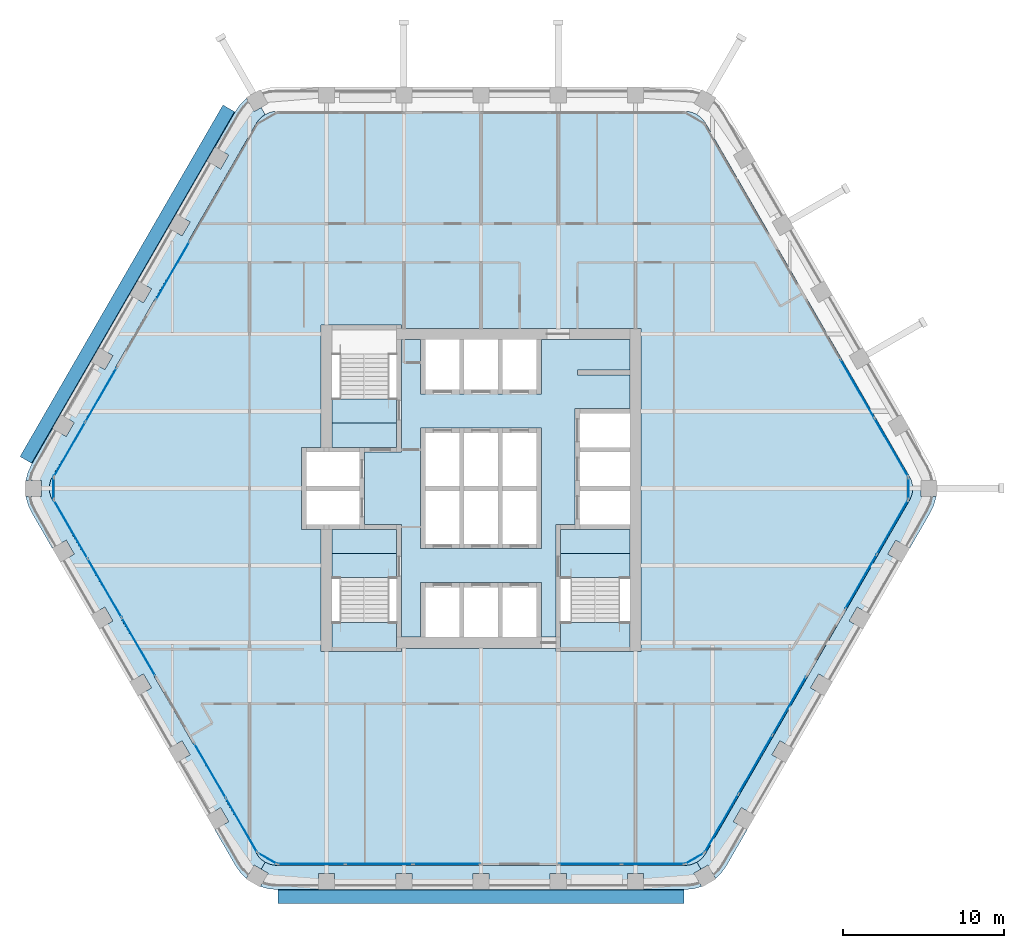
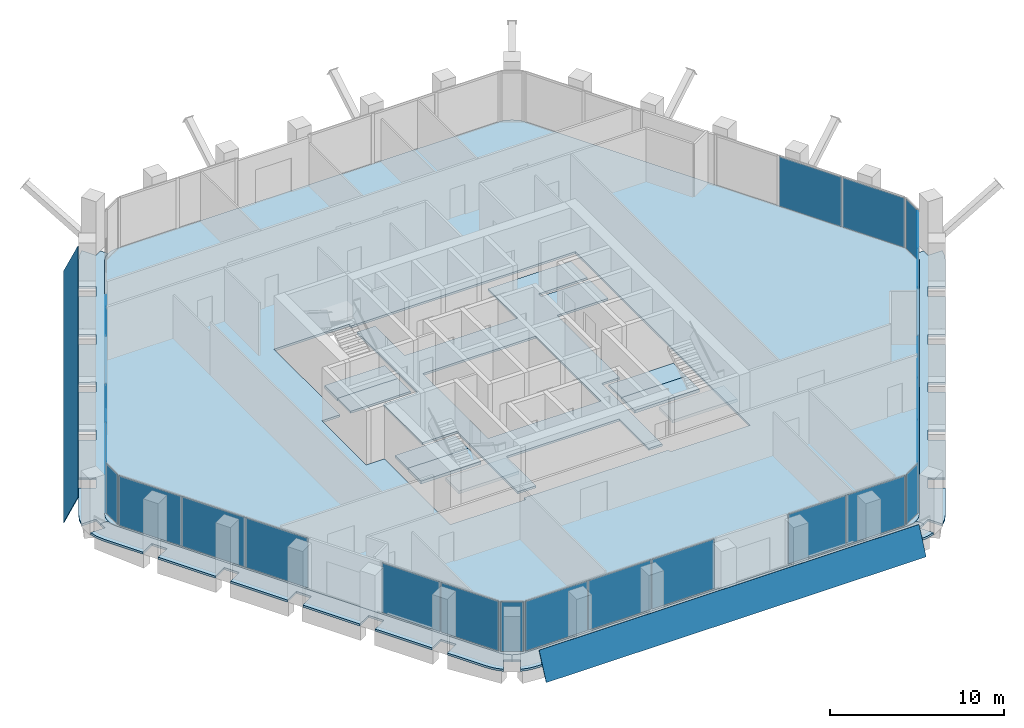
# One storey, part 8 of 16: 26 plates, 14 slabs, 16 elements without a shape of their own.
"""IFC4 building model written with IfcOpenShell, lengths in metres."""

from ifc_helpers import new_model, si_unit, direction, frame, origin, origin_2d, place, context, subcontext, project, spatial, polyline, rectangle, outline, extrude, material, layer, layer_set, type_object, element, aggregate, save


model = new_model("IFC4")

# Units and contexts
model_context = context("Model", 3, precision=1e-05, world=origin(), true_north=direction((0.0, 1.0)))
body_context = subcontext(model_context, "Body", "Model", "MODEL_VIEW")
ifc_project = project(units=[si_unit("LENGTHUNIT", "METRE"), si_unit("AREAUNIT", "SQUARE_METRE"), si_unit("VOLUMEUNIT", "CUBIC_METRE"), si_unit("PLANEANGLEUNIT", "RADIAN"), si_unit("MASSUNIT", "GRAM", prefix="KILO")], contexts=[model_context])

# Site, building, storey
site_placement = place(None, origin())
site = spatial("IfcSite", under=ifc_project, at=site_placement, CompositionType="ELEMENT")
building_placement = place(site_placement, origin())
building = spatial("IfcBuilding", under=site, at=building_placement, Name="Kolab Exchange Tower", CompositionType="ELEMENT")
storey_placement = place(building_placement, frame((0.0, 0.0, 162.199951171875)))
storey = spatial("IfcBuildingStorey", under=building, at=storey_placement, Name="L33", CompositionType="ELEMENT", Elevation=162.199951171875)

# Slabs
ifc_material_1 = material(Name="Concrete C35/45", Category="concrete")
ifc_layer_1 = layer(ifc_material_1, 0.14990234375)
ifc_layer_set_1 = layer_set([ifc_layer_1], Name="Concrete C35/45")
slab_type_1 = type_object("IfcSlabType", Name="FLOOR SLAB 150", PredefinedType="FLOOR", material=ifc_layer_set_1)
slab_1_placement = place(storey_placement, frame((0.0, 0.0, -0.14990234375)))
element("IfcSlab", 1, at=slab_1_placement, inside=storey, type_object=slab_type_1, Name="slab/L33/floor/0", PredefinedType="FLOOR", context=body_context, shape_type="SweptSolid", body=[
    extrude(outline(polyline([(13.967041015625, -22.691650390625), (26.635009765625, -0.75), (26.745361328125, -0.512939453125), (26.81298828125, -0.260498046875), (26.8359375, 0.0), (26.81298828125, 0.260498046875), (26.745361328125, 0.512939453125), (26.635009765625, 0.75), (13.967041015625, 22.691650390625), (13.81689453125, 22.90576171875), (13.632080078125, 23.090576171875), (13.41796875, 23.240478515625), (13.180908203125, 23.35107421875), (12.928466796875, 23.418701171875), (12.66796875, 23.441650390625), (-12.66796875, 23.441650390625), (-12.928466796875, 23.418701171875), (-13.180908203125, 23.35107421875), (-13.41796875, 23.240478515625), (-13.632080078125, 23.090576171875), (-13.81689453125, 22.90576171875), (-13.967041015625, 22.691650390625), (-26.635009765625, 0.75), (-26.745361328125, 0.512939453125), (-26.81298828125, 0.260498046875), (-26.8359375, 0.0), (-26.81298828125, -0.260498046875), (-26.745361328125, -0.512939453125), (-26.635009765625, -0.75), (-13.967041015625, -22.691650390625), (-13.81689453125, -22.90576171875), (-13.632080078125, -23.090576171875), (-13.41796875, -23.240478515625), (-13.180908203125, -23.35107421875), (-12.928466796875, -23.418701171875), (-12.66796875, -23.441650390625), (12.66796875, -23.441650390625), (12.928466796875, -23.418701171875), (13.180908203125, -23.35107421875), (13.41796875, -23.240478515625), (13.632080078125, -23.090576171875), (13.81689453125, -22.90576171875), (13.967041015625, -22.691650390625)]), holes=[polyline([(-9.25, -10.14990234375), (-9.949951171875, -10.14990234375), (-9.949951171875, -2.550048828125), (-10.85009765625, -2.550048828125), (-11.14990234375, -2.550048828125), (-11.14990234375, 2.550048828125), (-10.85009765625, 2.550048828125), (-9.949951171875, 2.550048828125), (-9.949951171875, 10.14990234375), (-9.25, 10.14990234375), (-5.25, 10.14990234375), (-4.949951171875, 10.14990234375), (-4.949951171875, 9.949951171875), (9.25, 9.949951171875), (9.949951171875, 9.949951171875), (9.949951171875, -10.14990234375), (9.25, -10.14990234375), (4.949951171875, -10.14990234375), (4.64990234375, -10.14990234375), (4.64990234375, -9.949951171875), (-4.949951171875, -9.949951171875), (-4.949951171875, -10.14990234375), (-5.25, -10.14990234375), (-9.25, -10.14990234375)])]), origin(), (0.0, 0.0, 1.0), 0.14990234375),
])
slab_2_placement = place(storey_placement, frame((0.0, 0.0, -0.14990234375)))
element("IfcSlab", 2, at=slab_2_placement, inside=storey, type_object=slab_type_1, Name="slab/L33/floor/1", PredefinedType="FLOOR", context=body_context, shape_type="SweptSolid", body=[
    extrude(outline(polyline([(-4.949951171875, 9.25), (-4.949951171875, 2.25), (-5.25, 2.25), (-7.25, 2.25), (-7.25, -2.25), (-5.25, -2.25), (-4.949951171875, -2.25), (-4.949951171875, -9.25), (-3.75, -9.25), (-3.75, -5.85009765625), (-3.449951171875, -5.85009765625), (-1.35009765625, -5.85009765625), (-1.050048828125, -5.85009765625), (1.050048828125, -5.85009765625), (1.35009765625, -5.85009765625), (3.449951171875, -5.85009765625), (3.75, -5.85009765625), (3.75, -9.25), (4.64990234375, -9.25), (4.64990234375, -2.25), (4.949951171875, -2.25), (5.85009765625, -2.25), (5.85009765625, 4.949951171875), (6.14990234375, 4.949951171875), (9.25, 4.949951171875), (9.25, 7.050048828125), (6.0, 7.050048828125), (6.0, 7.35009765625), (9.25, 7.35009765625), (9.25, 9.25), (3.75, 9.25), (3.75, 5.85009765625), (3.449951171875, 5.85009765625), (1.35009765625, 5.85009765625), (1.050048828125, 5.85009765625), (-1.050048828125, 5.85009765625), (-1.35009765625, 5.85009765625), (-3.449951171875, 5.85009765625), (-3.75, 5.85009765625), (-3.75, 9.25), (-4.949951171875, 9.25)]), holes=[polyline([(-3.449951171875, -3.75), (-3.75, -3.75), (-3.75, 3.75), (-3.449951171875, 3.75), (-1.35009765625, 3.75), (-1.050048828125, 3.75), (1.050048828125, 3.75), (1.35009765625, 3.75), (3.449951171875, 3.75), (3.75, 3.75), (3.75, -3.75), (3.449951171875, -3.75), (1.35009765625, -3.75), (1.050048828125, -3.75), (-1.050048828125, -3.75), (-1.35009765625, -3.75), (-3.449951171875, -3.75)])]), origin(), (0.0, 0.0, 1.0), 0.14990234375),
])
slab_3_placement = place(storey_placement, frame((0.0, 0.0, -0.14990234375)))
element("IfcSlab", 3, at=slab_3_placement, inside=storey, type_object=slab_type_1, Name="slab/L33/floor/2", PredefinedType="FLOOR", context=body_context, shape_type="SweptSolid", body=[
    extrude(outline(polyline([(4.949951171875, -4.050048828125), (9.25, -4.050048828125), (9.25, -2.550048828125), (6.14990234375, -2.550048828125), (5.85009765625, -2.550048828125), (4.949951171875, -2.550048828125), (4.949951171875, -4.050048828125)])), origin(), (0.0, 0.0, 1.0), 0.14990234375),
])
slab_4_placement = place(storey_placement, frame((0.0, 0.0, -0.14990234375)))
element("IfcSlab", 4, at=slab_4_placement, inside=storey, type_object=slab_type_1, Name="slab/L33/floor/3", PredefinedType="FLOOR", context=body_context, shape_type="SweptSolid", body=[
    extrude(outline(polyline([(-7.550048828125, -2.550048828125), (-9.25, -2.550048828125), (-9.25, -4.050048828125), (-5.25, -4.050048828125), (-5.25, -2.550048828125), (-7.25, -2.550048828125), (-7.550048828125, -2.550048828125)])), origin(), (0.0, 0.0, 1.0), 0.14990234375),
])
slab_5_placement = place(storey_placement, frame((0.0, 0.0, -0.14990234375)))
element("IfcSlab", 5, at=slab_5_placement, inside=storey, type_object=slab_type_1, Name="slab/L33/floor/4", PredefinedType="FLOOR", context=body_context, shape_type="SweptSolid", body=[
    extrude(outline(polyline([(-9.25, 2.550048828125), (-7.550048828125, 2.550048828125), (-7.25, 2.550048828125), (-5.25, 2.550048828125), (-5.25, 4.050048828125), (-9.25, 4.050048828125), (-9.25, 2.550048828125)])), origin(), (0.0, 0.0, 1.0), 0.14990234375),
])
ifc_layer_2 = layer(ifc_material_1, 0.14990234375)
ifc_layer_set_2 = layer_set([ifc_layer_2], Name="Concrete C35/45")
slab_type_2 = type_object("IfcSlabType", Name="LOGGIA SLAB 150", PredefinedType="FLOOR", material=ifc_layer_set_2)
slab_6_placement = place(storey_placement, frame((0.0, 0.0, -0.14990234375)))
element("IfcSlab", 6, at=slab_6_placement, inside=storey, type_object=slab_type_2, Name="slab/L33/loggia/2-0", PredefinedType="FLOOR", context=body_context, shape_type="SweptSolid", body=[
    extrude(outline(polyline([(15.26611328125, -23.441650390625), (16.550048828125, -21.217529296875), (15.68408203125, -20.717529296875), (16.18408203125, -19.8515625), (17.050048828125, -20.3515625), (18.949951171875, -17.060791015625), (18.083984375, -16.560791015625), (18.583984375, -15.694580078125), (19.449951171875, -16.194580078125), (21.35009765625, -12.90380859375), (20.48388671875, -12.40380859375), (20.98388671875, -11.537841796875), (21.85009765625, -12.037841796875), (23.75, -8.746826171875), (22.884033203125, -8.246826171875), (23.384033203125, -7.380859375), (24.25, -7.880859375), (26.14990234375, -4.58984375), (25.283935546875, -4.08984375), (25.783935546875, -3.223876953125), (26.64990234375, -3.723876953125), (27.93408203125, -1.5), (28.155029296875, -1.026123046875), (28.290283203125, -0.52099609375), (28.292236328125, -0.5), (27.3359375, -0.5), (27.3359375, 0.0), (26.8359375, 0.0), (26.81298828125, -0.260498046875), (26.745361328125, -0.512939453125), (26.635009765625, -0.75), (13.967041015625, -22.691650390625), (13.81689453125, -22.90576171875), (13.632080078125, -23.090576171875), (13.41796875, -23.240478515625), (13.66796875, -23.673583984375), (14.10107421875, -23.423583984375), (14.5791015625, -24.251708984375), (14.59619140625, -24.23974609375), (14.966064453125, -23.869873046875), (15.26611328125, -23.441650390625)])), origin(), (0.0, 0.0, 1.0), 0.14990234375),
])
slab_7_placement = place(storey_placement, frame((0.0, 0.0, -0.14990234375)))
element("IfcSlab", 7, at=slab_7_placement, inside=storey, type_object=slab_type_2, Name="slab/L33/loggia/3-0", PredefinedType="FLOOR", context=body_context, shape_type="SweptSolid", body=[
    extrude(outline(polyline([(-13.41796875, -23.240478515625), (-13.66796875, -23.673583984375), (-13.23486328125, -23.923583984375), (-13.713134765625, -24.751708984375), (-13.694091796875, -24.760498046875), (-13.18896484375, -24.89599609375), (-12.66796875, -24.941650390625), (-10.10009765625, -24.941650390625), (-10.10009765625, -23.941650390625), (-9.10009765625, -23.941650390625), (-9.10009765625, -24.941650390625), (-5.300048828125, -24.941650390625), (-5.300048828125, -23.941650390625), (-4.300048828125, -23.941650390625), (-4.300048828125, -24.941650390625), (-0.5, -24.941650390625), (-0.5, -23.941650390625), (0.5, -23.941650390625), (0.5, -24.941650390625), (4.300048828125, -24.941650390625), (4.300048828125, -23.941650390625), (5.300048828125, -23.941650390625), (5.300048828125, -24.941650390625), (9.10009765625, -24.941650390625), (9.10009765625, -23.941650390625), (10.10009765625, -23.941650390625), (10.10009765625, -24.941650390625), (12.66796875, -24.941650390625), (13.18896484375, -24.89599609375), (13.694091796875, -24.760498046875), (13.713134765625, -24.751708984375), (13.23486328125, -23.923583984375), (13.66796875, -23.673583984375), (13.41796875, -23.240478515625), (13.180908203125, -23.35107421875), (12.928466796875, -23.418701171875), (12.66796875, -23.441650390625), (-12.66796875, -23.441650390625), (-12.928466796875, -23.418701171875), (-13.180908203125, -23.35107421875), (-13.41796875, -23.240478515625)])), origin(), (0.0, 0.0, 1.0), 0.14990234375),
])
slab_8_placement = place(storey_placement, frame((0.0, 0.0, -0.14990234375)))
element("IfcSlab", 8, at=slab_8_placement, inside=storey, type_object=slab_type_2, Name="slab/L33/loggia/4-0", PredefinedType="FLOOR", context=body_context, shape_type="SweptSolid", body=[
    extrude(outline(polyline([(-26.8359375, 0.0), (-27.3359375, 0.0), (-27.3359375, -0.5), (-28.292236328125, -0.5), (-28.290283203125, -0.52099609375), (-28.155029296875, -1.026123046875), (-27.93408203125, -1.5), (-26.64990234375, -3.723876953125), (-25.783935546875, -3.223876953125), (-25.283935546875, -4.08984375), (-26.14990234375, -4.58984375), (-24.25, -7.880859375), (-23.384033203125, -7.380859375), (-22.884033203125, -8.246826171875), (-23.75, -8.746826171875), (-21.85009765625, -12.037841796875), (-20.98388671875, -11.537841796875), (-20.48388671875, -12.40380859375), (-21.35009765625, -12.90380859375), (-19.449951171875, -16.194580078125), (-18.583984375, -15.694580078125), (-18.083984375, -16.560791015625), (-18.949951171875, -17.060791015625), (-17.050048828125, -20.3515625), (-16.18408203125, -19.8515625), (-15.68408203125, -20.717529296875), (-16.550048828125, -21.217529296875), (-15.26611328125, -23.441650390625), (-14.966064453125, -23.869873046875), (-14.59619140625, -24.23974609375), (-14.5791015625, -24.251708984375), (-14.10107421875, -23.423583984375), (-13.66796875, -23.673583984375), (-13.41796875, -23.240478515625), (-13.632080078125, -23.090576171875), (-13.81689453125, -22.90576171875), (-13.967041015625, -22.691650390625), (-26.635009765625, -0.75), (-26.745361328125, -0.512939453125), (-26.81298828125, -0.260498046875), (-26.8359375, 0.0)])), origin(), (0.0, 0.0, 1.0), 0.14990234375),
])
slab_9_placement = place(storey_placement, frame((0.0, 0.0, -0.14990234375)))
element("IfcSlab", 9, at=slab_9_placement, inside=storey, type_object=slab_type_2, Name="slab/L33/loggia/5-0", PredefinedType="FLOOR", context=body_context, shape_type="SweptSolid", body=[
    extrude(outline(polyline([(-13.41796875, 23.240478515625), (-13.66796875, 23.673583984375), (-14.10107421875, 23.423583984375), (-14.5791015625, 24.251708984375), (-14.59619140625, 24.23974609375), (-14.966064453125, 23.869873046875), (-15.26611328125, 23.441650390625), (-16.550048828125, 21.217529296875), (-15.68408203125, 20.717529296875), (-16.18408203125, 19.8515625), (-17.050048828125, 20.3515625), (-18.949951171875, 17.060791015625), (-18.083984375, 16.560791015625), (-18.583984375, 15.694580078125), (-19.449951171875, 16.194580078125), (-21.35009765625, 12.90380859375), (-20.48388671875, 12.40380859375), (-20.98388671875, 11.537841796875), (-21.85009765625, 12.037841796875), (-23.75, 8.746826171875), (-22.884033203125, 8.246826171875), (-23.384033203125, 7.380859375), (-24.25, 7.880859375), (-26.14990234375, 4.58984375), (-25.283935546875, 4.08984375), (-25.783935546875, 3.223876953125), (-26.64990234375, 3.723876953125), (-27.93408203125, 1.5), (-28.155029296875, 1.026123046875), (-28.290283203125, 0.52099609375), (-28.292236328125, 0.5), (-27.3359375, 0.5), (-27.3359375, 0.0), (-26.8359375, 0.0), (-26.81298828125, 0.260498046875), (-26.745361328125, 0.512939453125), (-26.635009765625, 0.75), (-13.967041015625, 22.691650390625), (-13.81689453125, 22.90576171875), (-13.632080078125, 23.090576171875), (-13.41796875, 23.240478515625)])), origin(), (0.0, 0.0, 1.0), 0.14990234375),
])

# Plates
ifc_material_2 = material(Name="Laminated glass, clear", Category="glass")
ifc_layer_3 = layer(ifc_material_2, 0.0400390625)
ifc_layer_set_3 = layer_set([ifc_layer_3], Name="Laminated glass, clear")
plate_type_1 = type_object("IfcPlateType", Name="OUTER SKIN LAMINATED GLASS SHEET 40", PredefinedType="SHEET", material=ifc_layer_set_3)
plate_1_placement = place(storey_placement, frame((12.617919921875, -25.806640625, -0.68310546875), z_axis=(0.0, -0.906316657655, 0.422599238118), x_axis=(-1.0, 0.0, 0.0)))
element("IfcPlate", 10, at=plate_1_placement, inside=storey, type_object=plate_type_1, Name="Outer skin", PredefinedType="SHEET", context=body_context, shape_type="SweptSolid", body=[
    extrude(outline(polyline([(0.0, 0.0), (25.23583984375, 0.0), (25.23583984375, -1.961332030711248), (0.0, -1.961332030711248), (0.0, 0.0)])), origin(), (0.0, 0.0, -1.0), 0.0400390625),
])
plate_2_placement = place(storey_placement, frame((-28.658203125, 1.975830078125, -0.68310546875), z_axis=(-0.784898656704, 0.453161865271, 0.422585402693), x_axis=(0.499999968995, 0.866025421685, -9.26315e-07)))
element("IfcPlate", 11, at=plate_2_placement, inside=storey, type_object=plate_type_1, Name="Outer skin", PredefinedType="SHEET", context=body_context, shape_type="SweptSolid", body=[
    extrude(outline(polyline([(0.0, 0.0), (25.23592824607872, 0.0), (25.23580178082614, -1.96134386267648), (8.496673513263058e-05, -1.9612922777250188), (0.0, 0.0)])), origin(), (0.0, 0.0, -1.0), 0.0400390625),
])

# Stair, slab
ifc_material_3 = material(Name="Concrete C50/60", Category="concrete")
stair_type_1 = type_object("IfcStairType", Name="STAIR ST1 RISER 177.3", PredefinedType="HALF_TURN_STAIR", material=ifc_material_3)
stair_1_placement = place(storey_placement, origin())
stair_1 = element("IfcStair", 12, at=stair_1_placement, inside=storey, type_object=stair_type_1, Name="Stair 1", PredefinedType="HALF_TURN_STAIR")
ifc_layer_4 = layer(ifc_material_3, 0.199951171875)
ifc_layer_set_4 = layer_set([ifc_layer_4], Name="Concrete C50/60")
slab_type_3 = type_object("IfcSlabType", Name="STAIR LANDING 200", PredefinedType="LANDING", material=ifc_layer_set_4)
slab_10_placement = place(storey_placement, frame((0.0, 0.0, -0.199951171875)))
slab_10 = element("IfcSlab", 13, at=slab_10_placement, type_object=slab_type_3, Name="ST1 landing 1", PredefinedType="LANDING", context=body_context, shape_type="SweptSolid", body=[
    extrude(outline(polyline([(-9.25, 4.050048828125), (-5.25, 4.050048828125), (-5.25, 5.550048828125), (-9.25, 5.550048828125), (-9.25, 4.050048828125)])), origin(), (0.0, 0.0, 1.0), 0.199951171875),
])
aggregate(stair_1, [slab_10])

# Stair, slabs
stair_type_2 = type_object("IfcStairType", Name="STAIR ST3 RISER 177.3", PredefinedType="HALF_TURN_STAIR", material=ifc_material_3)
stair_2_placement = place(storey_placement, origin())
stair_2 = element("IfcStair", 14, at=stair_2_placement, inside=storey, type_object=stair_type_2, Name="Stair 3", PredefinedType="HALF_TURN_STAIR")
slab_11_placement = place(storey_placement, frame((0.0, 0.0, -0.199951171875)))
slab_11 = element("IfcSlab", 15, at=slab_11_placement, type_object=slab_type_3, Name="ST3 landing 1", PredefinedType="LANDING", context=body_context, shape_type="SweptSolid", body=[
    extrude(outline(polyline([(-9.25, -5.550048828125), (-5.25, -5.550048828125), (-5.25, -4.050048828125), (-9.25, -4.050048828125), (-9.25, -5.550048828125)])), origin(), (0.0, 0.0, 1.0), 0.199951171875),
])
slab_12_placement = place(storey_placement, frame((0.0, 0.0, 1.75)))
slab_12 = element("IfcSlab", 16, at=slab_12_placement, type_object=slab_type_3, Name="ST3 landing 2", PredefinedType="LANDING", context=body_context, shape_type="SweptSolid", body=[
    extrude(outline(polyline([(-9.25, -9.909912109375), (-5.25, -9.909912109375), (-5.25, -8.35009765625), (-9.25, -8.35009765625), (-9.25, -9.909912109375)])), origin(), (0.0, 0.0, 1.0), 0.199951171875),
])
aggregate(stair_2, [slab_11, slab_12])

stair_type_3 = type_object("IfcStairType", Name="STAIR ST2 RISER 177.3", PredefinedType="HALF_TURN_STAIR", material=ifc_material_3)
stair_3_placement = place(storey_placement, origin())
stair_3 = element("IfcStair", 17, at=stair_3_placement, inside=storey, type_object=stair_type_3, Name="Stair 2", PredefinedType="HALF_TURN_STAIR")
slab_13_placement = place(storey_placement, frame((0.0, 0.0, -0.199951171875)))
slab_13 = element("IfcSlab", 18, at=slab_13_placement, type_object=slab_type_3, Name="ST2 landing 1", PredefinedType="LANDING", context=body_context, shape_type="SweptSolid", body=[
    extrude(outline(polyline([(4.949951171875, -5.550048828125), (9.25, -5.550048828125), (9.25, -4.050048828125), (4.949951171875, -4.050048828125), (4.949951171875, -5.550048828125)])), origin(), (0.0, 0.0, 1.0), 0.199951171875),
])
slab_14_placement = place(storey_placement, frame((0.0, 0.0, 1.75)))
slab_14 = element("IfcSlab", 19, at=slab_14_placement, type_object=slab_type_3, Name="ST2 landing 2", PredefinedType="LANDING", context=body_context, shape_type="SweptSolid", body=[
    extrude(outline(polyline([(4.949951171875, -9.909912109375), (9.25, -9.909912109375), (9.25, -8.35009765625), (4.949951171875, -8.35009765625), (4.949951171875, -9.909912109375)])), origin(), (0.0, 0.0, 1.0), 0.199951171875),
])
aggregate(stair_3, [slab_13, slab_14])

# Curtain wall, plates
ifc_material_4 = material(Name="Aluminium EN AW-6063 T6", Category="aluminium")
curtain_wall_type = type_object("IfcCurtainWallType", Name="UNITISED UPPER MID ZONE CURTAIN WALL", PredefinedType="NOTDEFINED", material=ifc_material_4)
curtain_wall_1_placement = place(storey_placement, origin())
curtain_wall_1 = element("IfcCurtainWall", 20, at=curtain_wall_1_placement, inside=storey, type_object=curtain_wall_type, Name="cw/L33/F2-2", PredefinedType="NOTDEFINED")
ifc_material_5 = material(Name="Clear insulated glazing unit", Category="glass")
ifc_layer_5 = layer(ifc_material_5, 0.028076171875)
ifc_layer_set_5 = layer_set([ifc_layer_5], Name="Clear insulated glazing unit")
plate_type_2 = type_object("IfcPlateType", Name="UNITISED UPPER MID ZONE GLASS PANEL 28", PredefinedType="CURTAIN_PANEL", material=ifc_layer_set_5)
plate_3_placement = place(storey_placement, frame((23.398681640625, 6.1953125, 0.06005859375), z_axis=(0.0, 0.0, 1.0), x_axis=(0.499999958358, -0.866025427826, 0.0)))
plate_3 = element("IfcPlate", 21, at=plate_3_placement, type_object=plate_type_2, Name="CW3 panel 2.1", PredefinedType="CURTAIN_PANEL", context=body_context, shape_type="SweptSolid", body=[
    extrude(rectangle(XDim=4.16259765625, YDim=0.028076171875, at=origin_2d()), origin(), (0.0, 0.0, 1.0), 3.47998046875),
])
plate_4_placement = place(storey_placement, frame((25.50244140625, 2.551513671875, 0.06005859375), z_axis=(0.0, 0.0, 1.0), x_axis=(0.499999958358, -0.866025427826, 0.0)))
plate_4 = element("IfcPlate", 22, at=plate_4_placement, type_object=plate_type_2, Name="CW3 panel 3.1", PredefinedType="CURTAIN_PANEL", context=body_context, shape_type="SweptSolid", body=[
    extrude(rectangle(XDim=4.132568359375, YDim=0.028076171875, at=origin_2d()), origin(), (0.0, 0.0, 1.0), 3.47998046875),
])
aggregate(curtain_wall_1, [plate_3, plate_4])

curtain_wall_2_placement = place(storey_placement, origin())
curtain_wall_2 = element("IfcCurtainWall", 23, at=curtain_wall_2_placement, inside=storey, type_object=curtain_wall_type, Name="cw/L33/F3-1", PredefinedType="NOTDEFINED")
plate_5_placement = place(storey_placement, frame((25.57470703125, -2.426513671875, 0.06005859375), z_axis=(0.0, 0.0, 1.0), x_axis=(-0.499999936366, -0.866025440524, 0.0)))
plate_5 = element("IfcPlate", 24, at=plate_5_placement, type_object=plate_type_2, Name="CW3 panel 1.1", PredefinedType="CURTAIN_PANEL", context=body_context, shape_type="SweptSolid", body=[
    extrude(rectangle(XDim=3.843994140625, YDim=0.028076171875, at=origin_2d()), origin(), (0.0, 0.0, 1.0), 3.47998046875),
])
plate_6_placement = place(storey_placement, frame((23.62255859375, -5.807373046875, 0.06005859375), z_axis=(0.0, 0.0, 1.0), x_axis=(-0.499999936366, -0.866025440524, 0.0)))
plate_6 = element("IfcPlate", 25, at=plate_6_placement, type_object=plate_type_2, Name="CW3 panel 2.1", PredefinedType="CURTAIN_PANEL", context=body_context, shape_type="SweptSolid", body=[
    extrude(rectangle(XDim=3.843994140625, YDim=0.028076171875, at=origin_2d()), origin(), (0.0, 0.0, 1.0), 3.47998046875),
])
aggregate(curtain_wall_2, [plate_5, plate_6])

curtain_wall_3_placement = place(storey_placement, origin())
curtain_wall_3 = element("IfcCurtainWall", 26, at=curtain_wall_3_placement, inside=storey, type_object=curtain_wall_type, Name="cw/L33/F3-2", PredefinedType="NOTDEFINED")
plate_7_placement = place(storey_placement, frame((19.16845703125, -13.522216796875, 0.06005859375), z_axis=(0.0, 0.0, 1.0), x_axis=(-0.500000017564, -0.866025393644, 0.0)))
plate_7 = element("IfcPlate", 27, at=plate_7_placement, type_object=plate_type_2, Name="CW3 panel 1.1", PredefinedType="CURTAIN_PANEL", context=body_context, shape_type="SweptSolid", body=[
    extrude(rectangle(XDim=4.132568359375, YDim=0.028076171875, at=origin_2d()), origin(), (0.0, 0.0, 1.0), 3.47998046875),
])
plate_8_placement = place(storey_placement, frame((17.064697265625, -17.166259765625, 0.06005859375), z_axis=(0.0, 0.0, 1.0), x_axis=(-0.500000017564, -0.866025393644, 0.0)))
plate_8 = element("IfcPlate", 28, at=plate_8_placement, type_object=plate_type_2, Name="CW3 panel 2.1", PredefinedType="CURTAIN_PANEL", context=body_context, shape_type="SweptSolid", body=[
    extrude(rectangle(XDim=4.16259765625, YDim=0.028076171875, at=origin_2d()), origin(), (0.0, 0.0, 1.0), 3.47998046875),
])
plate_9_placement = place(storey_placement, frame((14.9609375, -20.81005859375, 0.06005859375), z_axis=(0.0, 0.0, 1.0), x_axis=(-0.500000017564, -0.866025393644, 0.0)))
plate_9 = element("IfcPlate", 29, at=plate_9_placement, type_object=plate_type_2, Name="CW3 panel 3.1", PredefinedType="CURTAIN_PANEL", context=body_context, shape_type="SweptSolid", body=[
    extrude(rectangle(XDim=4.132568359375, YDim=0.028076171875, at=origin_2d()), origin(), (0.0, 0.0, 1.0), 3.47998046875),
])
aggregate(curtain_wall_3, [plate_7, plate_8, plate_9])

curtain_wall_4_placement = place(storey_placement, origin())
curtain_wall_4 = element("IfcCurtainWall", 30, at=curtain_wall_4_placement, inside=storey, type_object=curtain_wall_type, Name="cw/L33/F4-1", PredefinedType="NOTDEFINED")
plate_10_placement = place(storey_placement, frame((10.68603515625, -23.361572265625, 0.06005859375), z_axis=(0.0, 0.0, 1.0), x_axis=(-1.0, 0.0, 0.0)))
plate_10 = element("IfcPlate", 31, at=plate_10_placement, type_object=plate_type_2, Name="CW3 panel 1.1", PredefinedType="CURTAIN_PANEL", context=body_context, shape_type="SweptSolid", body=[
    extrude(rectangle(XDim=3.843994140625, YDim=0.028076171875, at=origin_2d()), origin(), (0.0, 0.0, 1.0), 3.47998046875),
])
plate_11_placement = place(storey_placement, frame((6.781982421875, -23.361572265625, 0.06005859375), z_axis=(0.0, 0.0, 1.0), x_axis=(-1.0, 0.0, 0.0)))
plate_11 = element("IfcPlate", 32, at=plate_11_placement, type_object=plate_type_2, Name="CW3 panel 2.1", PredefinedType="CURTAIN_PANEL", context=body_context, shape_type="SweptSolid", body=[
    extrude(rectangle(XDim=3.843994140625, YDim=0.028076171875, at=origin_2d()), origin(), (0.0, 0.0, 1.0), 3.47998046875),
])
aggregate(curtain_wall_4, [plate_10, plate_11])

curtain_wall_5_placement = place(storey_placement, origin())
curtain_wall_5 = element("IfcCurtainWall", 33, at=curtain_wall_5_placement, inside=storey, type_object=curtain_wall_type, Name="cw/L33/F4-2", PredefinedType="NOTDEFINED")
plate_12_placement = place(storey_placement, frame((-2.126220703125, -23.361572265625, 0.06005859375), z_axis=(0.0, 0.0, 1.0), x_axis=(-1.0, 0.0, 0.0)))
plate_12 = element("IfcPlate", 34, at=plate_12_placement, type_object=plate_type_2, Name="CW3 panel 1.1", PredefinedType="CURTAIN_PANEL", context=body_context, shape_type="SweptSolid", body=[
    extrude(rectangle(XDim=4.132568359375, YDim=0.028076171875, at=origin_2d()), origin(), (0.0, 0.0, 1.0), 3.47998046875),
])
plate_13_placement = place(storey_placement, frame((-6.333984375, -23.361572265625, 0.06005859375), z_axis=(0.0, 0.0, 1.0), x_axis=(-1.0, 0.0, 0.0)))
plate_13 = element("IfcPlate", 35, at=plate_13_placement, type_object=plate_type_2, Name="CW3 panel 2.1", PredefinedType="CURTAIN_PANEL", context=body_context, shape_type="SweptSolid", body=[
    extrude(rectangle(XDim=4.16259765625, YDim=0.028076171875, at=origin_2d()), origin(), (0.0, 0.0, 1.0), 3.47998046875),
])
plate_14_placement = place(storey_placement, frame((-10.54150390625, -23.361572265625, 0.06005859375), z_axis=(0.0, 0.0, 1.0), x_axis=(-1.0, 0.0, 0.0)))
plate_14 = element("IfcPlate", 36, at=plate_14_placement, type_object=plate_type_2, Name="CW3 panel 3.1", PredefinedType="CURTAIN_PANEL", context=body_context, shape_type="SweptSolid", body=[
    extrude(rectangle(XDim=4.132568359375, YDim=0.028076171875, at=origin_2d()), origin(), (0.0, 0.0, 1.0), 3.47998046875),
])
aggregate(curtain_wall_5, [plate_12, plate_13, plate_14])

curtain_wall_6_placement = place(storey_placement, origin())
curtain_wall_6 = element("IfcCurtainWall", 37, at=curtain_wall_6_placement, inside=storey, type_object=curtain_wall_type, Name="cw/L33/F5-1", PredefinedType="NOTDEFINED")
plate_15_placement = place(storey_placement, frame((-14.888671875, -20.93505859375, 0.06005859375), z_axis=(0.0, 0.0, 1.0), x_axis=(-0.500000031681, 0.866025385493, 0.0)))
plate_15 = element("IfcPlate", 38, at=plate_15_placement, type_object=plate_type_2, Name="CW3 panel 1.1", PredefinedType="CURTAIN_PANEL", context=body_context, shape_type="SweptSolid", body=[
    extrude(rectangle(XDim=3.843994140625, YDim=0.028076171875, at=origin_2d()), origin(), (0.0, 0.0, 1.0), 3.47998046875),
])
plate_16_placement = place(storey_placement, frame((-16.840576171875, -17.55419921875, 0.06005859375), z_axis=(0.0, 0.0, 1.0), x_axis=(-0.500000031681, 0.866025385493, 0.0)))
plate_16 = element("IfcPlate", 39, at=plate_16_placement, type_object=plate_type_2, Name="CW3 panel 2.1", PredefinedType="CURTAIN_PANEL", context=body_context, shape_type="SweptSolid", body=[
    extrude(rectangle(XDim=3.843994140625, YDim=0.028076171875, at=origin_2d()), origin(), (0.0, 0.0, 1.0), 3.47998046875),
])
aggregate(curtain_wall_6, [plate_15, plate_16])

curtain_wall_7_placement = place(storey_placement, origin())
curtain_wall_7 = element("IfcCurtainWall", 40, at=curtain_wall_7_placement, inside=storey, type_object=curtain_wall_type, Name="cw/L33/F5-2", PredefinedType="NOTDEFINED")
plate_17_placement = place(storey_placement, frame((-21.294921875, -9.83935546875, 0.06005859375), z_axis=(0.0, 0.0, 1.0), x_axis=(-0.499999958358, 0.866025427826, 0.0)))
plate_17 = element("IfcPlate", 41, at=plate_17_placement, type_object=plate_type_2, Name="CW3 panel 1.1", PredefinedType="CURTAIN_PANEL", context=body_context, shape_type="SweptSolid", body=[
    extrude(rectangle(XDim=4.132568359375, YDim=0.028076171875, at=origin_2d()), origin(), (0.0, 0.0, 1.0), 3.47998046875),
])
plate_18_placement = place(storey_placement, frame((-23.398681640625, -6.1953125, 0.06005859375), z_axis=(0.0, 0.0, 1.0), x_axis=(-0.499999958358, 0.866025427826, 0.0)))
plate_18 = element("IfcPlate", 42, at=plate_18_placement, type_object=plate_type_2, Name="CW3 panel 2.1", PredefinedType="CURTAIN_PANEL", context=body_context, shape_type="SweptSolid", body=[
    extrude(rectangle(XDim=4.16259765625, YDim=0.028076171875, at=origin_2d()), origin(), (0.0, 0.0, 1.0), 3.47998046875),
])
plate_19_placement = place(storey_placement, frame((-25.50244140625, -2.551513671875, 0.06005859375), z_axis=(0.0, 0.0, 1.0), x_axis=(-0.499999958358, 0.866025427826, 0.0)))
plate_19 = element("IfcPlate", 43, at=plate_19_placement, type_object=plate_type_2, Name="CW3 panel 3.1", PredefinedType="CURTAIN_PANEL", context=body_context, shape_type="SweptSolid", body=[
    extrude(rectangle(XDim=4.132568359375, YDim=0.028076171875, at=origin_2d()), origin(), (0.0, 0.0, 1.0), 3.47998046875),
])
aggregate(curtain_wall_7, [plate_17, plate_18, plate_19])

curtain_wall_8_placement = place(storey_placement, origin())
curtain_wall_8 = element("IfcCurtainWall", 44, at=curtain_wall_8_placement, inside=storey, type_object=curtain_wall_type, Name="cw/L33/F6-1", PredefinedType="NOTDEFINED")
plate_20_placement = place(storey_placement, frame((-25.57470703125, 2.426513671875, 0.06005859375), z_axis=(0.0, 0.0, 1.0), x_axis=(0.499999936366, 0.866025440524, 0.0)))
plate_20 = element("IfcPlate", 45, at=plate_20_placement, type_object=plate_type_2, Name="CW3 panel 1.1", PredefinedType="CURTAIN_PANEL", context=body_context, shape_type="SweptSolid", body=[
    extrude(rectangle(XDim=3.843994140625, YDim=0.028076171875, at=origin_2d()), origin(), (0.0, 0.0, 1.0), 3.47998046875),
])
plate_21_placement = place(storey_placement, frame((-23.62255859375, 5.807373046875, 0.06005859375), z_axis=(0.0, 0.0, 1.0), x_axis=(0.499999936366, 0.866025440524, 0.0)))
plate_21 = element("IfcPlate", 46, at=plate_21_placement, type_object=plate_type_2, Name="CW3 panel 2.1", PredefinedType="CURTAIN_PANEL", context=body_context, shape_type="SweptSolid", body=[
    extrude(rectangle(XDim=3.843994140625, YDim=0.028076171875, at=origin_2d()), origin(), (0.0, 0.0, 1.0), 3.47998046875),
])
aggregate(curtain_wall_8, [plate_20, plate_21])

# Curtain wall, plate
curtain_wall_9_placement = place(storey_placement, origin())
curtain_wall_9 = element("IfcCurtainWall", 47, at=curtain_wall_9_placement, inside=storey, type_object=curtain_wall_type, Name="cw/L33/F6-2", PredefinedType="NOTDEFINED")
plate_22_placement = place(storey_placement, frame((-19.16845703125, 13.522216796875, 0.06005859375), z_axis=(0.0, 0.0, 1.0), x_axis=(0.500000017564, 0.866025393644, 0.0)))
plate_22 = element("IfcPlate", 48, at=plate_22_placement, type_object=plate_type_2, Name="CW3 panel 1.1", PredefinedType="CURTAIN_PANEL", context=body_context, shape_type="SweptSolid", body=[
    extrude(rectangle(XDim=4.132568359375, YDim=0.028076171875, at=origin_2d()), origin(), (0.0, 0.0, 1.0), 3.47998046875),
])
aggregate(curtain_wall_9, [plate_22])

curtain_wall_10_placement = place(storey_placement, origin())
curtain_wall_10 = element("IfcCurtainWall", 49, at=curtain_wall_10_placement, inside=storey, type_object=curtain_wall_type, Name="cw/L33/F2F3-corner", PredefinedType="NOTDEFINED")
plate_23_placement = place(storey_placement, frame((26.565673828125, 0.0, 0.06005859375), z_axis=(0.0, 0.0, 1.0), x_axis=(0.0, -1.0, 0.0)))
plate_23 = element("IfcPlate", 50, at=plate_23_placement, type_object=plate_type_2, Name="CW3 panel 1.1", PredefinedType="CURTAIN_PANEL", context=body_context, shape_type="SweptSolid", body=[
    extrude(rectangle(XDim=1.300048828125, YDim=0.028076171875, at=origin_2d()), origin(), (0.0, 0.0, 1.0), 3.47998046875),
])
aggregate(curtain_wall_10, [plate_23])

curtain_wall_11_placement = place(storey_placement, origin())
curtain_wall_11 = element("IfcCurtainWall", 51, at=curtain_wall_11_placement, inside=storey, type_object=curtain_wall_type, Name="cw/L33/F3F4-corner", PredefinedType="NOTDEFINED")
plate_24_placement = place(storey_placement, frame((13.28271484375, -23.006591796875, 0.06005859375), z_axis=(0.0, 0.0, 1.0), x_axis=(-0.866025390869, -0.50000002237, 0.0)))
plate_24 = element("IfcPlate", 52, at=plate_24_placement, type_object=plate_type_2, Name="CW3 panel 1.1", PredefinedType="CURTAIN_PANEL", context=body_context, shape_type="SweptSolid", body=[
    extrude(rectangle(XDim=1.300048828125, YDim=0.028076171875, at=origin_2d()), origin(), (0.0, 0.0, 1.0), 3.47998046875),
])
aggregate(curtain_wall_11, [plate_24])

curtain_wall_12_placement = place(storey_placement, origin())
curtain_wall_12 = element("IfcCurtainWall", 53, at=curtain_wall_12_placement, inside=storey, type_object=curtain_wall_type, Name="cw/L33/F4F5-corner", PredefinedType="NOTDEFINED")
plate_25_placement = place(storey_placement, frame((-13.28271484375, -23.006591796875, 0.06005859375), z_axis=(0.0, 0.0, 1.0), x_axis=(-0.866025390869, 0.50000002237, 0.0)))
plate_25 = element("IfcPlate", 54, at=plate_25_placement, type_object=plate_type_2, Name="CW3 panel 1.1", PredefinedType="CURTAIN_PANEL", context=body_context, shape_type="SweptSolid", body=[
    extrude(rectangle(XDim=1.300048828125, YDim=0.028076171875, at=origin_2d()), origin(), (0.0, 0.0, 1.0), 3.47998046875),
])
aggregate(curtain_wall_12, [plate_25])

curtain_wall_13_placement = place(storey_placement, origin())
curtain_wall_13 = element("IfcCurtainWall", 55, at=curtain_wall_13_placement, inside=storey, type_object=curtain_wall_type, Name="cw/L33/F5F6-corner", PredefinedType="NOTDEFINED")
plate_26_placement = place(storey_placement, frame((-26.565673828125, 0.0, 0.06005859375), z_axis=(0.0, 0.0, 1.0), x_axis=(0.0, 1.0, 0.0)))
plate_26 = element("IfcPlate", 56, at=plate_26_placement, type_object=plate_type_2, Name="CW3 panel 1.1", PredefinedType="CURTAIN_PANEL", context=body_context, shape_type="SweptSolid", body=[
    extrude(rectangle(XDim=1.300048828125, YDim=0.028076171875, at=origin_2d()), origin(), (0.0, 0.0, 1.0), 3.47998046875),
])
aggregate(curtain_wall_13, [plate_26])

save(model, "model.ifc")
